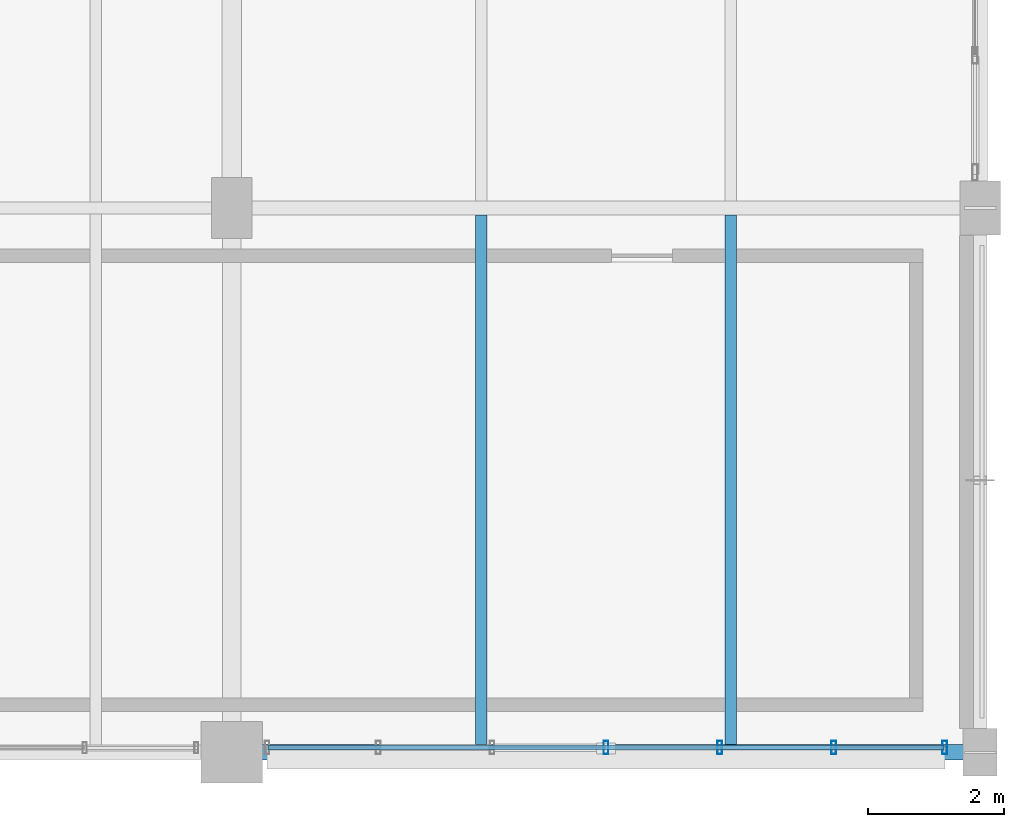
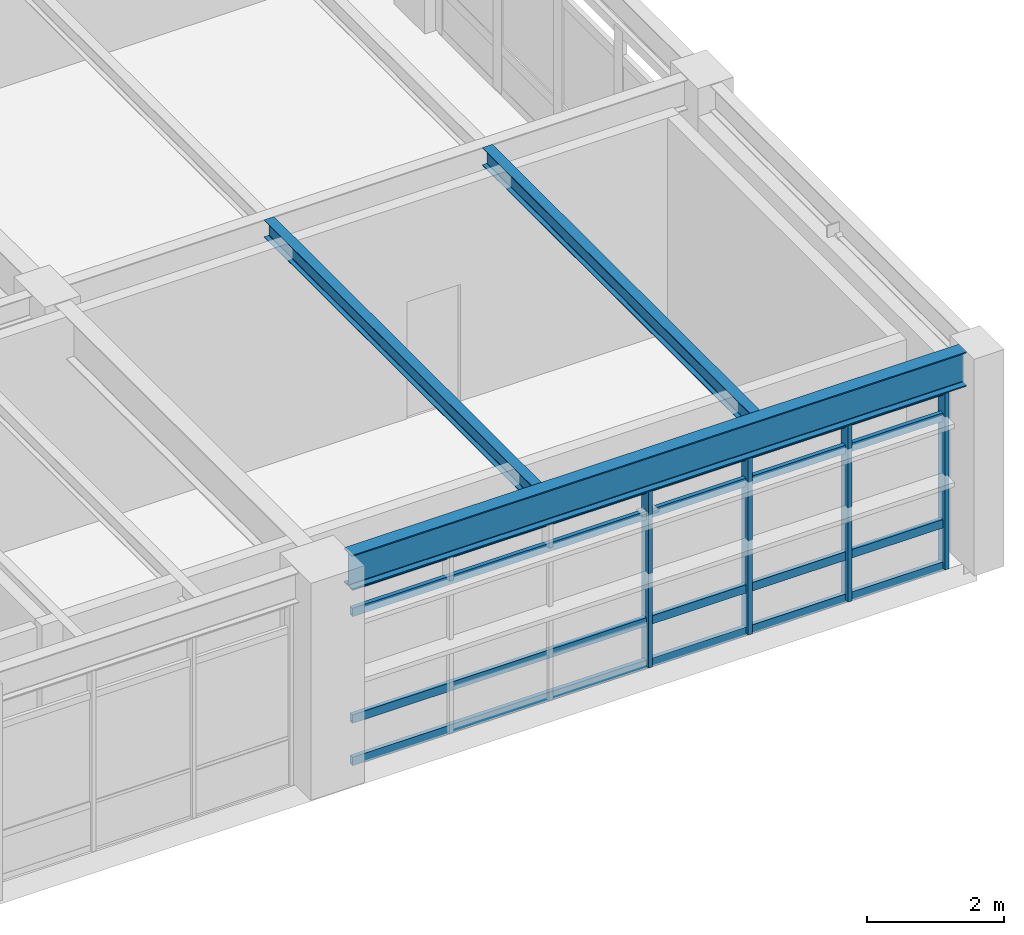
# One storey, part 14 of 26: 8 members, 3 beams, 1 element without a shape of its own.
"""IFC4 building model written with IfcOpenShell, lengths in metres."""

from ifc_helpers import new_model, si_unit, direction, frame, origin, origin_2d, place, context, subcontext, project, spatial, hollow_rectangle, i_section, extrude, material, material_profile, profile_set, type_object, element, aggregate, save


model = new_model("IFC4")

# Units and contexts
model_context = context("Model", 3, precision=1e-05, world=origin(), true_north=direction((0.0, 1.0)))
body_context = subcontext(model_context, "Body", "Model", "MODEL_VIEW")
ifc_project = project(units=[si_unit("LENGTHUNIT", "METRE"), si_unit("AREAUNIT", "SQUARE_METRE"), si_unit("VOLUMEUNIT", "CUBIC_METRE"), si_unit("PLANEANGLEUNIT", "RADIAN"), si_unit("MASSUNIT", "GRAM", prefix="KILO"), si_unit("THERMODYNAMICTEMPERATUREUNIT", "KELVIN"), si_unit("POWERUNIT", "WATT")], contexts=[model_context])

# Site, building, storey
site_placement = place(None, origin())
site = spatial("IfcSite", under=ifc_project, at=site_placement, CompositionType="ELEMENT")
building_placement = place(site_placement, origin())
building = spatial("IfcBuilding", under=site, at=building_placement, Name="Tepalcoro Natatorium and Aquatics Centre", CompositionType="ELEMENT")
storey_placement = place(building_placement, frame((0.0, 0.0, 19.0)))
storey = spatial("IfcBuildingStorey", under=building, at=storey_placement, Name="L04", CompositionType="ELEMENT", Elevation=19.0)

# Curtain wall, members
ifc_material_1 = material(Name="Bronze-Anodised Extruded Aluminium Alloy EN AW-6063 T6", Category="aluminium")
curtain_wall_type = type_object("IfcCurtainWallType", Name="CW_LEAN_T1_EW", PredefinedType="USERDEFINED", material=ifc_material_1)
curtain_wall_placement = place(storey_placement, origin())
curtain_wall = element("IfcCurtainWall", 1, at=curtain_wall_placement, inside=storey, type_object=curtain_wall_type, Name="V5 L04 S Unitised Curtain Wall Bay 7", ObjectType="FACETED SOLAR GLAZING", PredefinedType="USERDEFINED")
ifc_material_profile_1 = material_profile(ifc_material_1, hollow_rectangle(XDim=0.070068359375, YDim=0.199951171875, WallThickness=0.0048828125, at=origin_2d()), Name="AL70X200X5")
ifc_profile_set_1 = profile_set([ifc_material_profile_1], Name="Bronze-Anodised Extruded Aluminium Alloy EN AW-6063 T6")
member_type_1 = type_object("IfcMemberType", Name="CW_MUL_70x200", PredefinedType="MULLION", material=ifc_profile_set_1)
member_1_placement = place(storey_placement, frame((170.5, 94.0712890625, 0.02001953125), z_axis=(0.0, 0.0, 1.0), x_axis=(1.0, 0.0, 0.0)))
member_1 = element("IfcMember", 2, at=member_1_placement, type_object=member_type_1, Name="CW_LEAN_T1_EW Curtain Wall Mullion", PredefinedType="MULLION", context=body_context, shape_type="SweptSolid", body=[
    extrude(hollow_rectangle(XDim=0.070068359375, YDim=0.199951171875, WallThickness=0.0048828125, at=origin_2d()), origin(), (0.0, 0.0, 1.0), 3.16796875),
])
member_2_placement = place(storey_placement, frame((172.17333984375, 94.0712890625, 0.02001953125), z_axis=(0.0, 0.0, 1.0), x_axis=(1.0, 0.0, 0.0)))
member_2 = element("IfcMember", 3, at=member_2_placement, type_object=member_type_1, Name="CW_LEAN_T1_EW Curtain Wall Mullion", PredefinedType="MULLION", context=body_context, shape_type="SweptSolid", body=[
    extrude(hollow_rectangle(XDim=0.070068359375, YDim=0.199951171875, WallThickness=0.0048828125, at=origin_2d()), origin(), (0.0, 0.0, 1.0), 3.16796875),
])
member_3_placement = place(storey_placement, frame((173.8466796875, 94.0712890625, 0.02001953125), z_axis=(0.0, 0.0, 1.0), x_axis=(1.0, 0.0, 0.0)))
member_3 = element("IfcMember", 4, at=member_3_placement, type_object=member_type_1, Name="CW_LEAN_T1_EW Curtain Wall Mullion", PredefinedType="MULLION", context=body_context, shape_type="SweptSolid", body=[
    extrude(hollow_rectangle(XDim=0.070068359375, YDim=0.199951171875, WallThickness=0.0048828125, at=origin_2d()), origin(), (0.0, 0.0, 1.0), 3.16796875),
])
member_4_placement = place(storey_placement, frame((175.47998046875, 94.0712890625, 0.02001953125), z_axis=(0.0, 0.0, 1.0), x_axis=(1.0, 0.0, 0.0)))
member_4 = element("IfcMember", 5, at=member_4_placement, type_object=member_type_1, Name="CW_LEAN_T1_EW Curtain Wall Mullion", PredefinedType="MULLION", context=body_context, shape_type="SweptSolid", body=[
    extrude(hollow_rectangle(XDim=0.070068359375, YDim=0.199951171875, WallThickness=0.0048828125, at=origin_2d()), origin(), (0.0, 0.0, 1.0), 3.16796875),
])
ifc_material_profile_2 = material_profile(ifc_material_1, hollow_rectangle(XDim=0.070068359375, YDim=0.14990234375, WallThickness=0.00390625, at=origin_2d()), Name="AL70X150X4")
ifc_profile_set_2 = profile_set([ifc_material_profile_2], Name="Bronze-Anodised Extruded Aluminium Alloy EN AW-6063 T6")
member_type_2 = type_object("IfcMemberType", Name="CW_TRN_70x150", PredefinedType="USERDEFINED", material=ifc_profile_set_2)
member_5_placement = place(storey_placement, frame((165.530029296875, 94.0712890625, 0.050048828125), z_axis=(1.0, 0.0, 0.0), x_axis=(0.0, 1.0, 0.0)))
member_5 = element("IfcMember", 6, at=member_5_placement, type_object=member_type_2, Name="CW_LEAN_T1_EW Curtain Wall Transom", ObjectType="TRANSOM", PredefinedType="USERDEFINED", context=body_context, shape_type="SweptSolid", body=[
    extrude(hollow_rectangle(XDim=0.070068359375, YDim=0.14990234375, WallThickness=0.00390625, at=origin_2d()), origin(), (0.0, 0.0, 1.0), 9.93994140625),
])
member_6_placement = place(storey_placement, frame((165.530029296875, 94.0712890625, 0.802001953125), z_axis=(1.0, 0.0, 0.0), x_axis=(0.0, 1.0, 0.0)))
member_6 = element("IfcMember", 7, at=member_6_placement, type_object=member_type_2, Name="CW_LEAN_T1_EW Curtain Wall Transom", ObjectType="TRANSOM", PredefinedType="USERDEFINED", context=body_context, shape_type="SweptSolid", body=[
    extrude(hollow_rectangle(XDim=0.070068359375, YDim=0.14990234375, WallThickness=0.00390625, at=origin_2d()), origin(), (0.0, 0.0, 1.0), 9.93994140625),
])
member_7_placement = place(storey_placement, frame((165.530029296875, 94.0712890625, 2.69482421875), z_axis=(1.0, 0.0, 0.0), x_axis=(0.0, 1.0, 0.0)))
member_7 = element("IfcMember", 8, at=member_7_placement, type_object=member_type_2, Name="CW_LEAN_T1_EW Curtain Wall Transom", ObjectType="TRANSOM", PredefinedType="USERDEFINED", context=body_context, shape_type="SweptSolid", body=[
    extrude(hollow_rectangle(XDim=0.070068359375, YDim=0.14990234375, WallThickness=0.00390625, at=origin_2d()), origin(), (0.0, 0.0, 1.0), 9.93994140625),
])
member_8_placement = place(storey_placement, frame((165.530029296875, 94.0712890625, 3.157958984375), z_axis=(1.0, 0.0, 0.0), x_axis=(0.0, 1.0, 0.0)))
member_8 = element("IfcMember", 9, at=member_8_placement, type_object=member_type_2, Name="CW_LEAN_T1_EW Curtain Wall Transom", ObjectType="TRANSOM", PredefinedType="USERDEFINED", context=body_context, shape_type="SweptSolid", body=[
    extrude(hollow_rectangle(XDim=0.070068359375, YDim=0.14990234375, WallThickness=0.00390625, at=origin_2d()), origin(), (0.0, 0.0, 1.0), 9.93994140625),
])
aggregate(curtain_wall, [member_1, member_2, member_3, member_4, member_5, member_6, member_7, member_8])

# Beams
ifc_material_2 = material(Name="Steel ASTM A992 Grade 50 (Fy 345 MPa)", Category="steel")
ifc_material_profile_3 = material_profile(ifc_material_2, i_section(OverallWidth=0.1650390625, OverallDepth=0.31005859375, WebThickness=0.006103515625, FlangeThickness=0.010009765625, FilletRadius=0.013916015625, at=origin_2d()), Name="W12X26")
ifc_profile_set_3 = profile_set([ifc_material_profile_3], Name="Steel ASTM A992 Grade 50 (Fy 345 MPa)")
beam_type_1 = type_object("IfcBeamType", Name="JS_W12x26", PredefinedType="JOIST", material=ifc_profile_set_3)
beam_1_placement = place(storey_placement, frame((168.666748046875, 94.114501953125, 3.679931640625), z_axis=(0.0, 1.0, 0.0), x_axis=(-1.0, 0.0, 0.0)))
element("IfcBeam", 10, at=beam_1_placement, inside=storey, type_object=beam_type_1, Name="V5 L04 Floor Joist", PredefinedType="JOIST", context=body_context, shape_type="SweptSolid", body=[
    extrude(i_section(OverallWidth=0.1650390625, OverallDepth=0.31005859375, WebThickness=0.006103515625, FlangeThickness=0.010009765625, FilletRadius=0.013916015625, at=origin_2d()), origin(), (0.0, 0.0, 1.0), 7.780517578125),
])
ifc_material_profile_4 = material_profile(ifc_material_2, i_section(OverallWidth=0.1669921875, OverallDepth=0.318115234375, WebThickness=0.008056640625, FlangeThickness=0.012939453125, FilletRadius=0.013916015625, at=origin_2d()), Name="W12X35")
ifc_profile_set_4 = profile_set([ifc_material_profile_4], Name="Steel ASTM A992 Grade 50 (Fy 345 MPa)")
beam_type_2 = type_object("IfcBeamType", Name="JS_W12x35", PredefinedType="JOIST", material=ifc_profile_set_4)
beam_2_placement = place(storey_placement, frame((172.333251953125, 94.114501953125, 3.676025390625), z_axis=(0.0, 1.0, 0.0), x_axis=(-1.0, 0.0, 0.0)))
element("IfcBeam", 11, at=beam_2_placement, inside=storey, type_object=beam_type_2, Name="V5 L04 Floor Joist", PredefinedType="JOIST", context=body_context, shape_type="SweptSolid", body=[
    extrude(i_section(OverallWidth=0.1669921875, OverallDepth=0.318115234375, WebThickness=0.008056640625, FlangeThickness=0.012939453125, FilletRadius=0.013916015625, at=origin_2d()), origin(), (0.0, 0.0, 1.0), 7.780517578125),
])
ifc_material_profile_5 = material_profile(ifc_material_2, i_section(OverallWidth=0.22900390625, OverallDepth=0.612060546875, WebThickness=0.011962890625, FlangeThickness=0.02001953125, FilletRadius=0.013916015625, at=origin_2d()), Name="W24X84")
ifc_profile_set_5 = profile_set([ifc_material_profile_5], Name="Steel ASTM A992 Grade 50 (Fy 345 MPa)")
beam_type_3 = type_object("IfcBeamType", Name="SP_W24x84", PredefinedType="SPANDREL", material=ifc_profile_set_5)
beam_3_placement = place(storey_placement, frame((165.43505859375, 94.0, 3.529052734375), z_axis=(1.0, 0.0, 0.0), x_axis=(0.0, 1.0, 0.0)))
element("IfcBeam", 12, at=beam_3_placement, inside=storey, type_object=beam_type_3, Name="V5 L04 Grid Girder X", PredefinedType="SPANDREL", context=body_context, shape_type="SweptSolid", body=[
    extrude(i_section(OverallWidth=0.22900390625, OverallDepth=0.612060546875, WebThickness=0.011962890625, FlangeThickness=0.02001953125, FilletRadius=0.013916015625, at=origin_2d()), origin(), (0.0, 0.0, 1.0), 10.329833984375),
])

save(model, "model.ifc")
